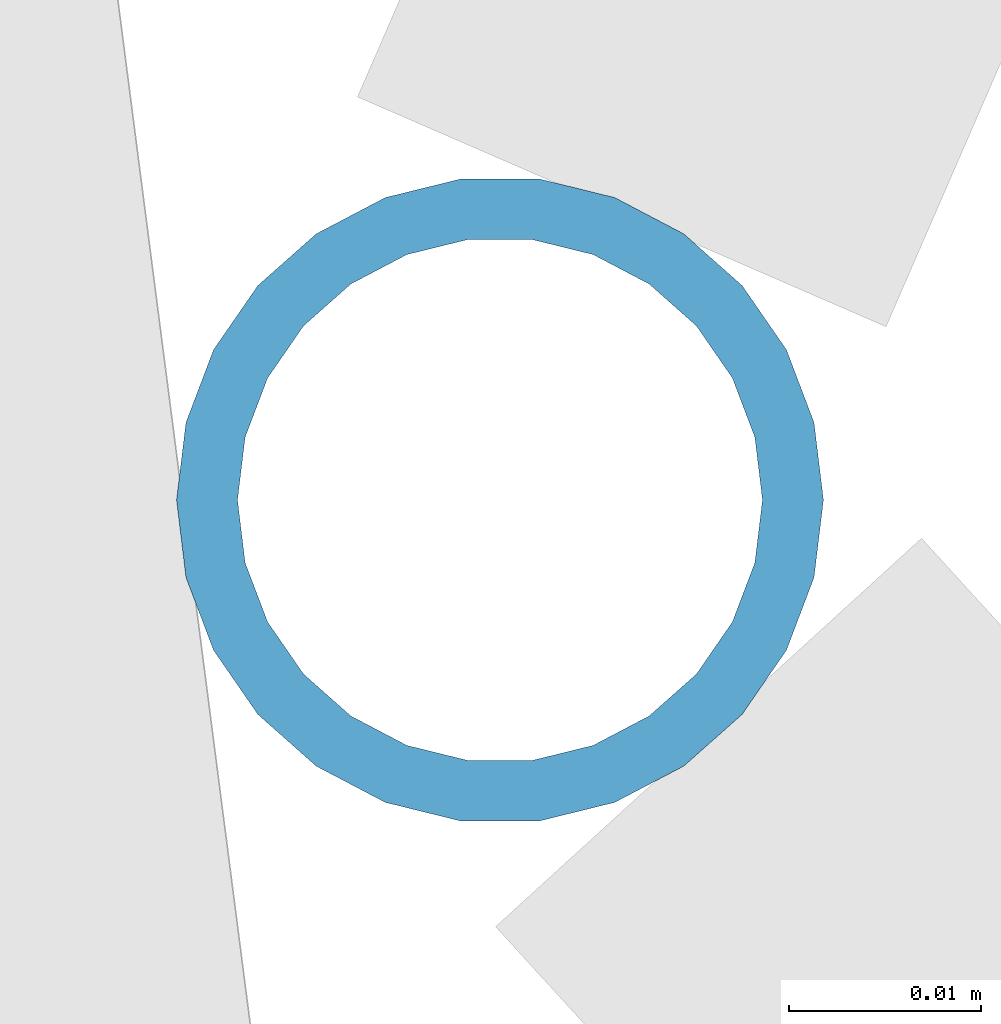
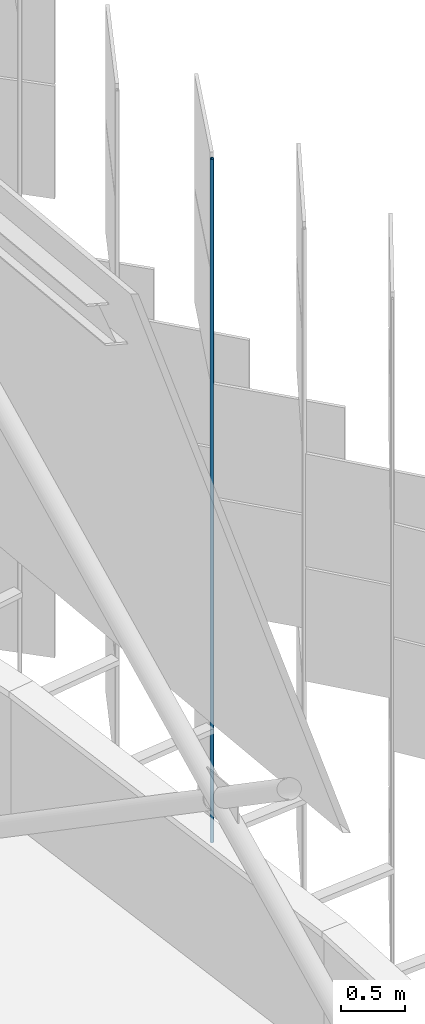
# One storey, part 292 of 483: 1 discrete accessory.
"""IFC4 building model written with IfcOpenShell, lengths in metres."""

from ifc_helpers import new_model, si_unit, direction, frame, origin, origin_2d, place, context, subcontext, project, spatial, hollow_circle, extrude, material, material_profile, profile_set, type_object, element, save


model = new_model("IFC4")

# Units and contexts
model_context = context("Model", 3, precision=1e-05, world=origin(), true_north=direction((0.0, 1.0)))
body_context = subcontext(model_context, "Body", "Model", "MODEL_VIEW")
ifc_project = project(units=[si_unit("LENGTHUNIT", "METRE"), si_unit("AREAUNIT", "SQUARE_METRE"), si_unit("VOLUMEUNIT", "CUBIC_METRE"), si_unit("PLANEANGLEUNIT", "RADIAN"), si_unit("MASSUNIT", "GRAM", prefix="KILO")], contexts=[model_context])

# Site, building, storey
site_placement = place(None, origin())
site = spatial("IfcSite", under=ifc_project, at=site_placement, CompositionType="ELEMENT")
building_placement = place(site_placement, origin())
building = spatial("IfcBuilding", under=site, at=building_placement, Name="Parallax Yard Mobility Hub", CompositionType="ELEMENT")
storey_placement = place(building_placement, frame((0.0, 0.0, 13.199951171875)))
storey = spatial("IfcBuildingStorey", under=building, at=storey_placement, Name="L04", CompositionType="ELEMENT", Elevation=13.199951171875)

# Discrete accessory
ifc_material = material(Name="Steel ASTM A500 Gr C, hot-dip galvanised", Category="steel")
ifc_material_profile = material_profile(ifc_material, hollow_circle(Radius=0.016845703125, WallThickness=0.003173828125, at=origin_2d()), Name="CHS 33.7x3.2")
ifc_profile_set = profile_set([ifc_material_profile], Name="Steel ASTM A500 Gr C, hot-dip galvanised")
discrete_accessory_type = type_object("IfcDiscreteAccessoryType", Name="Hinge post CHS 33.7x3.2", PredefinedType="BRACKET", material=ifc_profile_set)
discrete_accessory_placement = place(storey_placement, frame((225.33740234375, 97.154296875, 0.0), z_axis=(0.0, 0.0, 1.0), x_axis=(1.0, 0.0, 0.0)))
element("IfcDiscreteAccessory", 1, at=discrete_accessory_placement, inside=storey, type_object=discrete_accessory_type, Name="Hinge post bay 41.7 level L04", PredefinedType="BRACKET", context=body_context, shape_type="SweptSolid", body=[
    extrude(hollow_circle(Radius=0.016845703125, WallThickness=0.003173828125, at=origin_2d()), origin(), (0.0, 0.0, 1.0), 6.550048828125),
])

save(model, "model.ifc")
